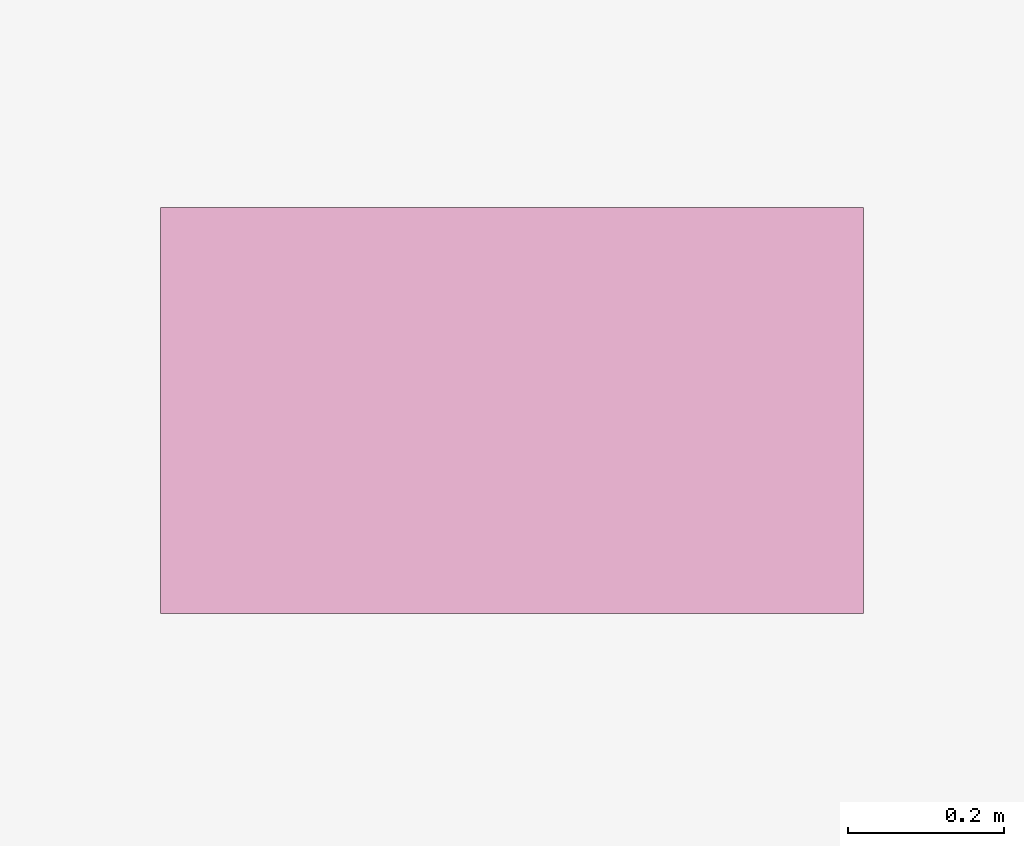
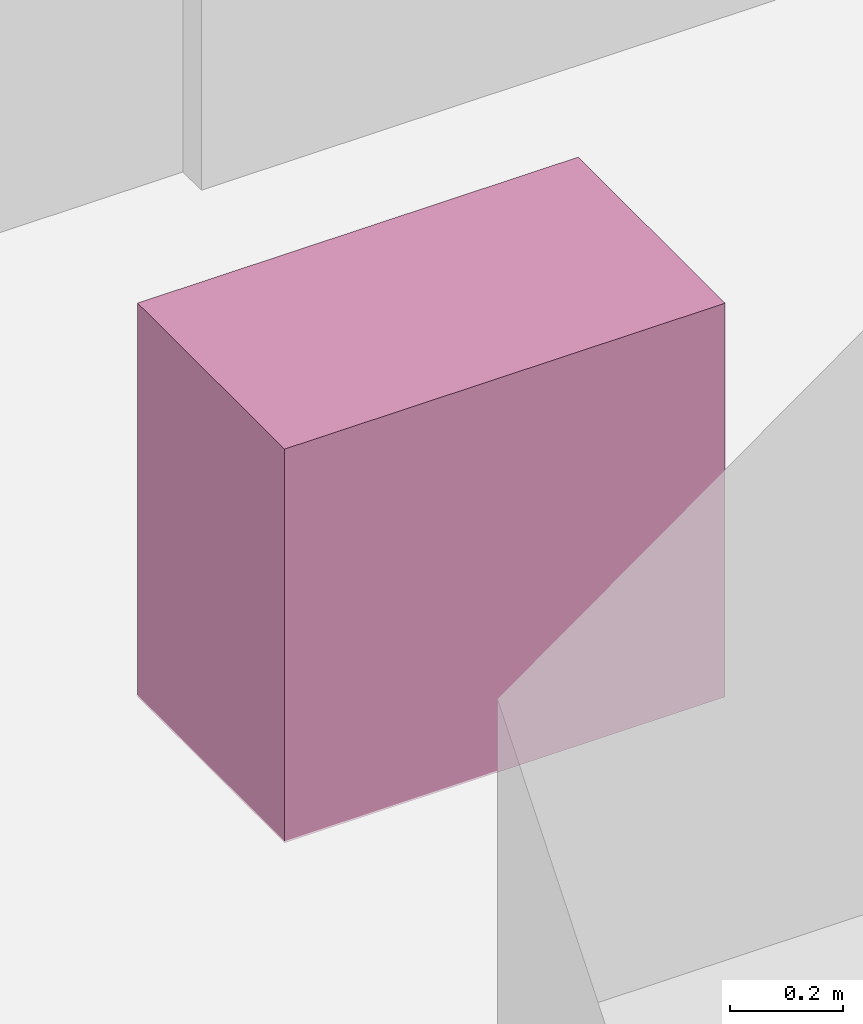
# One storey, part 34 of 34: 1 furnishing.
"""IFC4 building model written with IfcOpenShell, lengths in metres."""

from ifc_helpers import new_model, si_unit, direction, frame, origin, origin_2d, place, context, subcontext, project, spatial, rectangle, extrude, material, type_object, element, save


model = new_model("IFC4")

# Units and contexts
model_context = context("Model", 3, precision=1e-05, world=origin(), true_north=direction((0.0, 1.0)))
body_context = subcontext(model_context, "Body", "Model", "MODEL_VIEW")
ifc_project = project(units=[si_unit("LENGTHUNIT", "METRE"), si_unit("AREAUNIT", "SQUARE_METRE"), si_unit("VOLUMEUNIT", "CUBIC_METRE"), si_unit("PLANEANGLEUNIT", "RADIAN"), si_unit("MASSUNIT", "GRAM", prefix="KILO")], contexts=[model_context])

# Site, building, storey
site_placement = place(None, origin())
site = spatial("IfcSite", under=ifc_project, at=site_placement, CompositionType="ELEMENT")
building_placement = place(site_placement, origin())
building = spatial("IfcBuilding", under=site, at=building_placement, Name="Vorneva Point Tower", CompositionType="ELEMENT")
storey_placement = place(building_placement, frame((0.0, 0.0, 66.0)))
storey = spatial("IfcBuildingStorey", under=building, at=storey_placement, Name="L17", CompositionType="ELEMENT", Elevation=66.0)

# Furnishing
ifc_material = material(Name="Vitreous china and granite top", Category="masonry")
furniture_type = type_object("IfcFurnitureType", Name="FUR-VAN-900", AssemblyPlace="NOTDEFINED", PredefinedType="NOTDEFINED", material=ifc_material)
furnishing_placement = place(storey_placement, frame((35.425048828125, 32.1201171875, -0.005126953125), z_axis=(0.0, 0.0, 1.0), x_axis=(1.0, 0.0, 0.0)))
element("IfcFurnishingElement", 1, at=furnishing_placement, inside=storey, type_object=furniture_type, Name="L17 Accessible WC Vanity Unit", ObjectType="L17 Accessible WC Vanity Unit", context=body_context, shape_type="SweptSolid", body=[
    extrude(rectangle(XDim=0.89990234375, YDim=0.52001953125, at=origin_2d()), origin(), (0.0, 0.0, 1.0), 0.85009765625),
])

save(model, "model.ifc")
